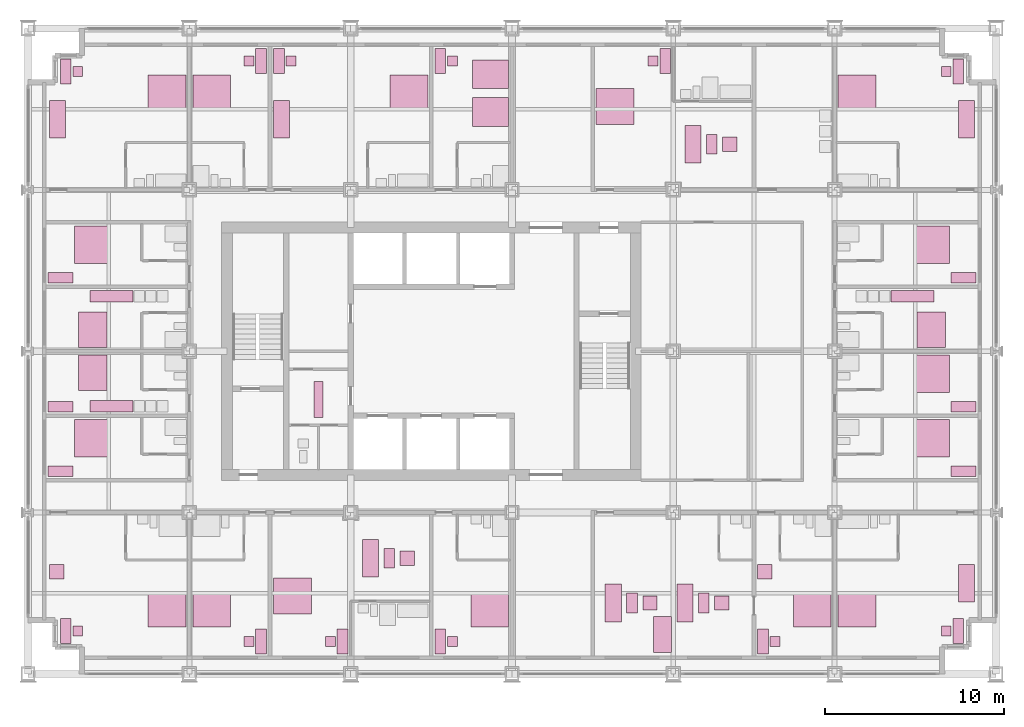
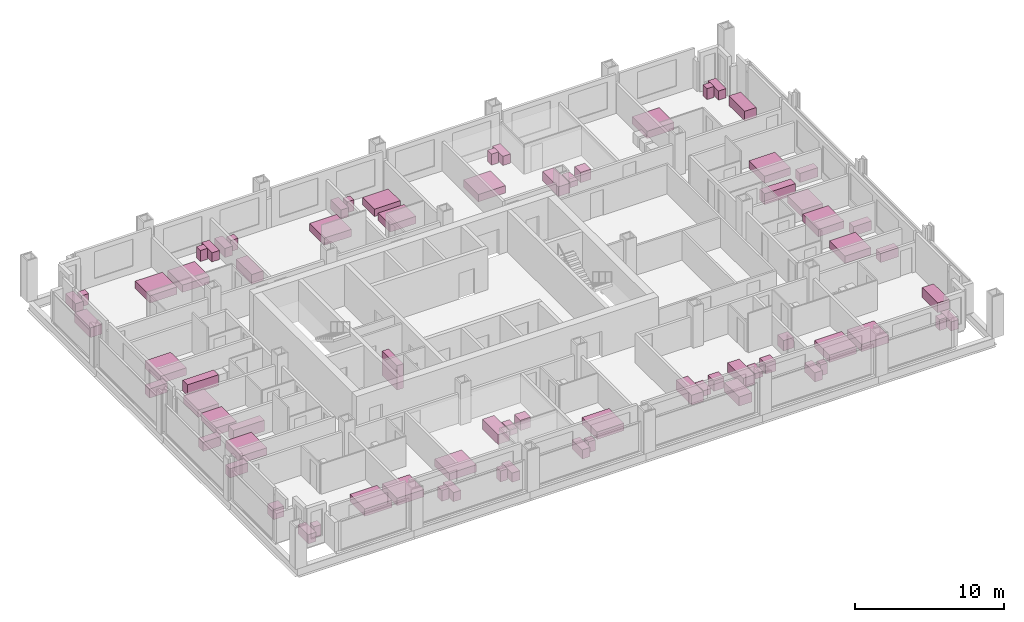
# One storey, part 18 of 18: 74 furniture elements.
"""IFC4 building model written with IfcOpenShell, lengths in metres."""

from ifc_helpers import new_model, si_unit, direction, frame, origin, origin_2d, place, context, subcontext, project, spatial, rectangle, extrude, element, save


model = new_model("IFC4")

# Units and contexts
model_context = context("Model", 3, precision=1e-05, world=origin(), true_north=direction((0.0, 1.0)))
body_context = subcontext(model_context, "Body", "Model", "MODEL_VIEW")
ifc_project = project(units=[si_unit("LENGTHUNIT", "METRE"), si_unit("AREAUNIT", "SQUARE_METRE"), si_unit("VOLUMEUNIT", "CUBIC_METRE"), si_unit("PLANEANGLEUNIT", "RADIAN"), si_unit("MASSUNIT", "GRAM", prefix="KILO")], contexts=[model_context])

# Site, building, storey
site_placement = place(None, origin())
site = spatial("IfcSite", under=ifc_project, at=site_placement, CompositionType="ELEMENT")
building_placement = place(site_placement, origin())
building = spatial("IfcBuilding", under=site, at=building_placement, Name="Loomwork Tower", CompositionType="ELEMENT")
storey_placement = place(building_placement, frame((0.0, 0.0, 51.800048828125)))
storey = spatial("IfcBuildingStorey", under=building, at=storey_placement, Name="L12", CompositionType="ELEMENT", Elevation=51.800048828125)

# Furniture
furniture_1_placement = place(storey_placement, frame((7.75, 3.60009765625, 0.0), z_axis=(0.0, 0.0, 1.0), x_axis=(1.0, 0.0, 0.0)))
element("IfcFurniture", 1, at=furniture_1_placement, inside=storey, Name="King bed L12", PredefinedType="BED", context=body_context, shape_type="SweptSolid", body=[
    extrude(rectangle(XDim=2.10009765625, YDim=2.0, at=origin_2d()), origin(), (0.0, 0.0, 1.0), 0.60009765625),
])
furniture_2_placement = place(storey_placement, frame((2.10009765625, 2.39990234375, 0.0), z_axis=(0.0, 0.0, 1.0), x_axis=(1.0, 0.0, 0.0)))
element("IfcFurniture", 2, at=furniture_2_placement, inside=storey, Name="Writing desk L12", PredefinedType="DESK", context=body_context, shape_type="SweptSolid", body=[
    extrude(rectangle(XDim=0.60009765625, YDim=1.39990234375, at=origin_2d()), origin(), (0.0, 0.0, 1.0), 0.75),
])
furniture_3_placement = place(storey_placement, frame((2.77490234375, 2.39990234375, 0.0), z_axis=(0.0, 0.0, 1.0), x_axis=(1.0, 0.0, 0.0)))
element("IfcFurniture", 3, at=furniture_3_placement, inside=storey, Name="Desk chair L12", PredefinedType="CHAIR", context=body_context, shape_type="SweptSolid", body=[
    extrude(rectangle(XDim=0.550048828125, YDim=0.550048828125, at=origin_2d()), origin(), (0.0, 0.0, 1.0), 0.89990234375),
])
furniture_4_placement = place(storey_placement, frame((1.60009765625, 5.699951171875, 0.0), z_axis=(0.0, 0.0, 1.0), x_axis=(1.0, 0.0, 0.0)))
element("IfcFurniture", 4, at=furniture_4_placement, inside=storey, Name="Lounge armchair L12", PredefinedType="CHAIR", context=body_context, shape_type="SweptSolid", body=[
    extrude(rectangle(XDim=0.800048828125, YDim=0.800048828125, at=origin_2d()), origin(), (0.0, 0.0, 1.0), 0.85009765625),
])
furniture_5_placement = place(storey_placement, frame((10.25, 3.60009765625, 0.0), z_axis=(0.0, 0.0, 1.0), x_axis=(1.0, 0.0, 0.0)))
element("IfcFurniture", 5, at=furniture_5_placement, inside=storey, Name="King bed L12", PredefinedType="BED", context=body_context, shape_type="SweptSolid", body=[
    extrude(rectangle(XDim=2.10009765625, YDim=2.0, at=origin_2d()), origin(), (0.0, 0.0, 1.0), 0.60009765625),
])
furniture_6_placement = place(storey_placement, frame((13.0, 1.800048828125, 0.0), z_axis=(0.0, 0.0, 1.0), x_axis=(1.0, 0.0, 0.0)))
element("IfcFurniture", 6, at=furniture_6_placement, inside=storey, Name="Writing desk L12", PredefinedType="DESK", context=body_context, shape_type="SweptSolid", body=[
    extrude(rectangle(XDim=0.60009765625, YDim=1.39990234375, at=origin_2d()), origin(), (0.0, 0.0, 1.0), 0.75),
])
furniture_7_placement = place(storey_placement, frame((12.324951171875, 1.800048828125, 0.0), z_axis=(0.0, 0.0, 1.0), x_axis=(1.0, 0.0, 0.0)))
element("IfcFurniture", 7, at=furniture_7_placement, inside=storey, Name="Desk chair L12", PredefinedType="CHAIR", context=body_context, shape_type="SweptSolid", body=[
    extrude(rectangle(XDim=0.550048828125, YDim=0.550048828125, at=origin_2d()), origin(), (0.0, 0.0, 1.0), 0.89990234375),
])
furniture_8_placement = place(storey_placement, frame((14.75, 4.35009765625, 0.0), z_axis=(0.0, 0.0, 1.0), x_axis=(1.0, 0.0, 0.0)))
element("IfcFurniture", 8, at=furniture_8_placement, inside=storey, Name="King bed L12", PredefinedType="BED", context=body_context, shape_type="SweptSolid", body=[
    extrude(rectangle(XDim=2.10009765625, YDim=2.0, at=origin_2d()), origin(), (0.0, 0.0, 1.0), 0.60009765625),
])
furniture_9_placement = place(storey_placement, frame((17.550048828125, 1.800048828125, 0.0), z_axis=(0.0, 0.0, 1.0), x_axis=(1.0, 0.0, 0.0)))
element("IfcFurniture", 9, at=furniture_9_placement, inside=storey, Name="Writing desk L12", PredefinedType="DESK", context=body_context, shape_type="SweptSolid", body=[
    extrude(rectangle(XDim=0.60009765625, YDim=1.39990234375, at=origin_2d()), origin(), (0.0, 0.0, 1.0), 0.75),
])
furniture_10_placement = place(storey_placement, frame((16.875, 1.800048828125, 0.0), z_axis=(0.0, 0.0, 1.0), x_axis=(1.0, 0.0, 0.0)))
element("IfcFurniture", 10, at=furniture_10_placement, inside=storey, Name="Desk chair L12", PredefinedType="CHAIR", context=body_context, shape_type="SweptSolid", body=[
    extrude(rectangle(XDim=0.550048828125, YDim=0.550048828125, at=origin_2d()), origin(), (0.0, 0.0, 1.0), 0.89990234375),
])
furniture_11_placement = place(storey_placement, frame((19.10009765625, 6.449951171875, 0.0), z_axis=(0.0, 0.0, 1.0), x_axis=(1.0, 0.0, 0.0)))
element("IfcFurniture", 11, at=furniture_11_placement, inside=storey, Name="Sofa L12", PredefinedType="SOFA", context=body_context, shape_type="SweptSolid", body=[
    extrude(rectangle(XDim=0.89990234375, YDim=2.10009765625, at=origin_2d()), origin(), (0.0, 0.0, 1.0), 0.800048828125),
])
furniture_12_placement = place(storey_placement, frame((20.14990234375, 6.449951171875, 0.0), z_axis=(0.0, 0.0, 1.0), x_axis=(1.0, 0.0, 0.0)))
element("IfcFurniture", 12, at=furniture_12_placement, inside=storey, Name="Coffee table L12", PredefinedType="TABLE", context=body_context, shape_type="SweptSolid", body=[
    extrude(rectangle(XDim=0.60009765625, YDim=1.10009765625, at=origin_2d()), origin(), (0.0, 0.0, 1.0), 0.449951171875),
])
furniture_13_placement = place(storey_placement, frame((21.14990234375, 6.449951171875, 0.0), z_axis=(0.0, 0.0, 1.0), x_axis=(1.0, 0.0, 0.0)))
element("IfcFurniture", 13, at=furniture_13_placement, inside=storey, Name="Lounge armchair L12", PredefinedType="CHAIR", context=body_context, shape_type="SweptSolid", body=[
    extrude(rectangle(XDim=0.800048828125, YDim=0.800048828125, at=origin_2d()), origin(), (0.0, 0.0, 1.0), 0.85009765625),
])
furniture_14_placement = place(storey_placement, frame((25.75, 3.60009765625, 0.0), z_axis=(0.0, 0.0, 1.0), x_axis=(1.0, 0.0, 0.0)))
element("IfcFurniture", 14, at=furniture_14_placement, inside=storey, Name="King bed L12", PredefinedType="BED", context=body_context, shape_type="SweptSolid", body=[
    extrude(rectangle(XDim=2.10009765625, YDim=2.0, at=origin_2d()), origin(), (0.0, 0.0, 1.0), 0.60009765625),
])
furniture_15_placement = place(storey_placement, frame((23.0, 1.800048828125, 0.0), z_axis=(0.0, 0.0, 1.0), x_axis=(1.0, 0.0, 0.0)))
element("IfcFurniture", 15, at=furniture_15_placement, inside=storey, Name="Writing desk L12", PredefinedType="DESK", context=body_context, shape_type="SweptSolid", body=[
    extrude(rectangle(XDim=0.60009765625, YDim=1.39990234375, at=origin_2d()), origin(), (0.0, 0.0, 1.0), 0.75),
])
furniture_16_placement = place(storey_placement, frame((23.675048828125, 1.800048828125, 0.0), z_axis=(0.0, 0.0, 1.0), x_axis=(1.0, 0.0, 0.0)))
element("IfcFurniture", 16, at=furniture_16_placement, inside=storey, Name="Desk chair L12", PredefinedType="CHAIR", context=body_context, shape_type="SweptSolid", body=[
    extrude(rectangle(XDim=0.550048828125, YDim=0.550048828125, at=origin_2d()), origin(), (0.0, 0.0, 1.0), 0.89990234375),
])
furniture_17_placement = place(storey_placement, frame((32.64990234375, 3.949951171875, 0.0), z_axis=(0.0, 0.0, 1.0), x_axis=(1.0, 0.0, 0.0)))
element("IfcFurniture", 17, at=furniture_17_placement, inside=storey, Name="Sofa L12", PredefinedType="SOFA", context=body_context, shape_type="SweptSolid", body=[
    extrude(rectangle(XDim=0.89990234375, YDim=2.10009765625, at=origin_2d()), origin(), (0.0, 0.0, 1.0), 0.800048828125),
])
furniture_18_placement = place(storey_placement, frame((33.699951171875, 3.949951171875, 0.0), z_axis=(0.0, 0.0, 1.0), x_axis=(1.0, 0.0, 0.0)))
element("IfcFurniture", 18, at=furniture_18_placement, inside=storey, Name="Coffee table L12", PredefinedType="TABLE", context=body_context, shape_type="SweptSolid", body=[
    extrude(rectangle(XDim=0.60009765625, YDim=1.10009765625, at=origin_2d()), origin(), (0.0, 0.0, 1.0), 0.449951171875),
])
furniture_19_placement = place(storey_placement, frame((34.699951171875, 3.949951171875, 0.0), z_axis=(0.0, 0.0, 1.0), x_axis=(1.0, 0.0, 0.0)))
element("IfcFurniture", 19, at=furniture_19_placement, inside=storey, Name="Lounge armchair L12", PredefinedType="CHAIR", context=body_context, shape_type="SweptSolid", body=[
    extrude(rectangle(XDim=0.800048828125, YDim=0.800048828125, at=origin_2d()), origin(), (0.0, 0.0, 1.0), 0.85009765625),
])
furniture_20_placement = place(storey_placement, frame((36.64990234375, 3.949951171875, 0.0), z_axis=(0.0, 0.0, 1.0), x_axis=(1.0, 0.0, 0.0)))
element("IfcFurniture", 20, at=furniture_20_placement, inside=storey, Name="Sofa L12", PredefinedType="SOFA", context=body_context, shape_type="SweptSolid", body=[
    extrude(rectangle(XDim=0.89990234375, YDim=2.10009765625, at=origin_2d()), origin(), (0.0, 0.0, 1.0), 0.800048828125),
])
furniture_21_placement = place(storey_placement, frame((37.699951171875, 3.949951171875, 0.0), z_axis=(0.0, 0.0, 1.0), x_axis=(1.0, 0.0, 0.0)))
element("IfcFurniture", 21, at=furniture_21_placement, inside=storey, Name="Coffee table L12", PredefinedType="TABLE", context=body_context, shape_type="SweptSolid", body=[
    extrude(rectangle(XDim=0.60009765625, YDim=1.10009765625, at=origin_2d()), origin(), (0.0, 0.0, 1.0), 0.449951171875),
])
furniture_22_placement = place(storey_placement, frame((38.699951171875, 3.949951171875, 0.0), z_axis=(0.0, 0.0, 1.0), x_axis=(1.0, 0.0, 0.0)))
element("IfcFurniture", 22, at=furniture_22_placement, inside=storey, Name="Lounge armchair L12", PredefinedType="CHAIR", context=body_context, shape_type="SweptSolid", body=[
    extrude(rectangle(XDim=0.800048828125, YDim=0.800048828125, at=origin_2d()), origin(), (0.0, 0.0, 1.0), 0.85009765625),
])
furniture_23_placement = place(storey_placement, frame((35.39990234375, 2.199951171875, 0.0), z_axis=(0.0, 0.0, 1.0), x_axis=(1.0, 0.0, 0.0)))
element("IfcFurniture", 23, at=furniture_23_placement, inside=storey, Name="Dining table L12", PredefinedType="TABLE", context=body_context, shape_type="SweptSolid", body=[
    extrude(rectangle(XDim=1.0, YDim=2.0, at=origin_2d()), origin(), (0.0, 0.0, 1.0), 0.75),
])
furniture_24_placement = place(storey_placement, frame((43.75, 3.60009765625, 0.0), z_axis=(0.0, 0.0, 1.0), x_axis=(1.0, 0.0, 0.0)))
element("IfcFurniture", 24, at=furniture_24_placement, inside=storey, Name="King bed L12", PredefinedType="BED", context=body_context, shape_type="SweptSolid", body=[
    extrude(rectangle(XDim=2.10009765625, YDim=2.0, at=origin_2d()), origin(), (0.0, 0.0, 1.0), 0.60009765625),
])
furniture_25_placement = place(storey_placement, frame((41.0, 1.800048828125, 0.0), z_axis=(0.0, 0.0, 1.0), x_axis=(1.0, 0.0, 0.0)))
element("IfcFurniture", 25, at=furniture_25_placement, inside=storey, Name="Writing desk L12", PredefinedType="DESK", context=body_context, shape_type="SweptSolid", body=[
    extrude(rectangle(XDim=0.60009765625, YDim=1.39990234375, at=origin_2d()), origin(), (0.0, 0.0, 1.0), 0.75),
])
furniture_26_placement = place(storey_placement, frame((41.675048828125, 1.800048828125, 0.0), z_axis=(0.0, 0.0, 1.0), x_axis=(1.0, 0.0, 0.0)))
element("IfcFurniture", 26, at=furniture_26_placement, inside=storey, Name="Desk chair L12", PredefinedType="CHAIR", context=body_context, shape_type="SweptSolid", body=[
    extrude(rectangle(XDim=0.550048828125, YDim=0.550048828125, at=origin_2d()), origin(), (0.0, 0.0, 1.0), 0.89990234375),
])
furniture_27_placement = place(storey_placement, frame((41.10009765625, 5.699951171875, 0.0), z_axis=(0.0, 0.0, 1.0), x_axis=(1.0, 0.0, 0.0)))
element("IfcFurniture", 27, at=furniture_27_placement, inside=storey, Name="Lounge armchair L12", PredefinedType="CHAIR", context=body_context, shape_type="SweptSolid", body=[
    extrude(rectangle(XDim=0.800048828125, YDim=0.800048828125, at=origin_2d()), origin(), (0.0, 0.0, 1.0), 0.85009765625),
])
furniture_28_placement = place(storey_placement, frame((46.25, 3.60009765625, 0.0), z_axis=(0.0, 0.0, 1.0), x_axis=(1.0, 0.0, 0.0)))
element("IfcFurniture", 28, at=furniture_28_placement, inside=storey, Name="King bed L12", PredefinedType="BED", context=body_context, shape_type="SweptSolid", body=[
    extrude(rectangle(XDim=2.10009765625, YDim=2.0, at=origin_2d()), origin(), (0.0, 0.0, 1.0), 0.60009765625),
])
furniture_29_placement = place(storey_placement, frame((51.89990234375, 2.39990234375, 0.0), z_axis=(0.0, 0.0, 1.0), x_axis=(1.0, 0.0, 0.0)))
element("IfcFurniture", 29, at=furniture_29_placement, inside=storey, Name="Writing desk L12", PredefinedType="DESK", context=body_context, shape_type="SweptSolid", body=[
    extrude(rectangle(XDim=0.60009765625, YDim=1.39990234375, at=origin_2d()), origin(), (0.0, 0.0, 1.0), 0.75),
])
furniture_30_placement = place(storey_placement, frame((51.22509765625, 2.39990234375, 0.0), z_axis=(0.0, 0.0, 1.0), x_axis=(1.0, 0.0, 0.0)))
element("IfcFurniture", 30, at=furniture_30_placement, inside=storey, Name="Desk chair L12", PredefinedType="CHAIR", context=body_context, shape_type="SweptSolid", body=[
    extrude(rectangle(XDim=0.550048828125, YDim=0.550048828125, at=origin_2d()), origin(), (0.0, 0.0, 1.0), 0.89990234375),
])
furniture_31_placement = place(storey_placement, frame((52.35009765625, 5.050048828125, 0.0), z_axis=(0.0, 0.0, 1.0), x_axis=(1.0, 0.0, 0.0)))
element("IfcFurniture", 31, at=furniture_31_placement, inside=storey, Name="Sofa L12", PredefinedType="SOFA", context=body_context, shape_type="SweptSolid", body=[
    extrude(rectangle(XDim=0.89990234375, YDim=2.10009765625, at=origin_2d()), origin(), (0.0, 0.0, 1.0), 0.800048828125),
])
furniture_32_placement = place(storey_placement, frame((7.75, 32.39990234375, 0.0), z_axis=(0.0, 0.0, 1.0), x_axis=(1.0, 0.0, 0.0)))
element("IfcFurniture", 32, at=furniture_32_placement, inside=storey, Name="King bed L12", PredefinedType="BED", context=body_context, shape_type="SweptSolid", body=[
    extrude(rectangle(XDim=2.10009765625, YDim=2.0, at=origin_2d()), origin(), (0.0, 0.0, 1.0), 0.60009765625),
])
furniture_33_placement = place(storey_placement, frame((2.10009765625, 33.60009765625, 0.0), z_axis=(0.0, 0.0, 1.0), x_axis=(1.0, 0.0, 0.0)))
element("IfcFurniture", 33, at=furniture_33_placement, inside=storey, Name="Writing desk L12", PredefinedType="DESK", context=body_context, shape_type="SweptSolid", body=[
    extrude(rectangle(XDim=0.60009765625, YDim=1.39990234375, at=origin_2d()), origin(), (0.0, 0.0, 1.0), 0.75),
])
furniture_34_placement = place(storey_placement, frame((2.77490234375, 33.60009765625, 0.0), z_axis=(0.0, 0.0, 1.0), x_axis=(1.0, 0.0, 0.0)))
element("IfcFurniture", 34, at=furniture_34_placement, inside=storey, Name="Desk chair L12", PredefinedType="CHAIR", context=body_context, shape_type="SweptSolid", body=[
    extrude(rectangle(XDim=0.550048828125, YDim=0.550048828125, at=origin_2d()), origin(), (0.0, 0.0, 1.0), 0.89990234375),
])
furniture_35_placement = place(storey_placement, frame((1.64990234375, 30.949951171875, 0.0), z_axis=(0.0, 0.0, 1.0), x_axis=(1.0, 0.0, 0.0)))
element("IfcFurniture", 35, at=furniture_35_placement, inside=storey, Name="Sofa L12", PredefinedType="SOFA", context=body_context, shape_type="SweptSolid", body=[
    extrude(rectangle(XDim=0.89990234375, YDim=2.10009765625, at=origin_2d()), origin(), (0.0, 0.0, 1.0), 0.800048828125),
])
furniture_36_placement = place(storey_placement, frame((10.25, 32.39990234375, 0.0), z_axis=(0.0, 0.0, 1.0), x_axis=(1.0, 0.0, 0.0)))
element("IfcFurniture", 36, at=furniture_36_placement, inside=storey, Name="King bed L12", PredefinedType="BED", context=body_context, shape_type="SweptSolid", body=[
    extrude(rectangle(XDim=2.10009765625, YDim=2.0, at=origin_2d()), origin(), (0.0, 0.0, 1.0), 0.60009765625),
])
furniture_37_placement = place(storey_placement, frame((13.0, 34.199951171875, 0.0), z_axis=(0.0, 0.0, 1.0), x_axis=(1.0, 0.0, 0.0)))
element("IfcFurniture", 37, at=furniture_37_placement, inside=storey, Name="Writing desk L12", PredefinedType="DESK", context=body_context, shape_type="SweptSolid", body=[
    extrude(rectangle(XDim=0.60009765625, YDim=1.39990234375, at=origin_2d()), origin(), (0.0, 0.0, 1.0), 0.75),
])
furniture_38_placement = place(storey_placement, frame((12.324951171875, 34.199951171875, 0.0), z_axis=(0.0, 0.0, 1.0), x_axis=(1.0, 0.0, 0.0)))
element("IfcFurniture", 38, at=furniture_38_placement, inside=storey, Name="Desk chair L12", PredefinedType="CHAIR", context=body_context, shape_type="SweptSolid", body=[
    extrude(rectangle(XDim=0.550048828125, YDim=0.550048828125, at=origin_2d()), origin(), (0.0, 0.0, 1.0), 0.89990234375),
])
furniture_39_placement = place(storey_placement, frame((21.25, 32.39990234375, 0.0), z_axis=(0.0, 0.0, 1.0), x_axis=(1.0, 0.0, 0.0)))
element("IfcFurniture", 39, at=furniture_39_placement, inside=storey, Name="King bed L12", PredefinedType="BED", context=body_context, shape_type="SweptSolid", body=[
    extrude(rectangle(XDim=2.10009765625, YDim=2.0, at=origin_2d()), origin(), (0.0, 0.0, 1.0), 0.60009765625),
])
furniture_40_placement = place(storey_placement, frame((14.0, 34.199951171875, 0.0), z_axis=(0.0, 0.0, 1.0), x_axis=(1.0, 0.0, 0.0)))
element("IfcFurniture", 40, at=furniture_40_placement, inside=storey, Name="Writing desk L12", PredefinedType="DESK", context=body_context, shape_type="SweptSolid", body=[
    extrude(rectangle(XDim=0.60009765625, YDim=1.39990234375, at=origin_2d()), origin(), (0.0, 0.0, 1.0), 0.75),
])
furniture_41_placement = place(storey_placement, frame((14.675048828125, 34.199951171875, 0.0), z_axis=(0.0, 0.0, 1.0), x_axis=(1.0, 0.0, 0.0)))
element("IfcFurniture", 41, at=furniture_41_placement, inside=storey, Name="Desk chair L12", PredefinedType="CHAIR", context=body_context, shape_type="SweptSolid", body=[
    extrude(rectangle(XDim=0.550048828125, YDim=0.550048828125, at=origin_2d()), origin(), (0.0, 0.0, 1.0), 0.89990234375),
])
furniture_42_placement = place(storey_placement, frame((14.14990234375, 30.949951171875, 0.0), z_axis=(0.0, 0.0, 1.0), x_axis=(1.0, 0.0, 0.0)))
element("IfcFurniture", 42, at=furniture_42_placement, inside=storey, Name="Sofa L12", PredefinedType="SOFA", context=body_context, shape_type="SweptSolid", body=[
    extrude(rectangle(XDim=0.89990234375, YDim=2.10009765625, at=origin_2d()), origin(), (0.0, 0.0, 1.0), 0.800048828125),
])
for number, where, z_axis, x_axis, name in (
    (43, (25.800048828125, 31.35009765625, 0.0), (0.0, 0.0, 1.0), (1.0, 0.0, 0.0), "Queen bed L12"),
    (44, (25.800048828125, 33.449951171875, 0.0), (0.0, 0.0, 1.0), (1.0, 0.0, 0.0), "Queen bed L12"),
):
    element("IfcFurniture", number, at=place(storey_placement, frame(where, z_axis=z_axis, x_axis=x_axis)), inside=storey, Name=name, PredefinedType="BED", context=body_context, shape_type="SweptSolid", body=[
        extrude(rectangle(XDim=2.0, YDim=1.60009765625, at=origin_2d()), origin(), (0.0, 0.0, 1.0), 0.60009765625),
    ])
furniture_43_placement = place(storey_placement, frame((23.0, 34.199951171875, 0.0), z_axis=(0.0, 0.0, 1.0), x_axis=(1.0, 0.0, 0.0)))
element("IfcFurniture", 45, at=furniture_43_placement, inside=storey, Name="Writing desk L12", PredefinedType="DESK", context=body_context, shape_type="SweptSolid", body=[
    extrude(rectangle(XDim=0.60009765625, YDim=1.39990234375, at=origin_2d()), origin(), (0.0, 0.0, 1.0), 0.75),
])
furniture_44_placement = place(storey_placement, frame((23.675048828125, 34.199951171875, 0.0), z_axis=(0.0, 0.0, 1.0), x_axis=(1.0, 0.0, 0.0)))
element("IfcFurniture", 46, at=furniture_44_placement, inside=storey, Name="Desk chair L12", PredefinedType="CHAIR", context=body_context, shape_type="SweptSolid", body=[
    extrude(rectangle(XDim=0.550048828125, YDim=0.550048828125, at=origin_2d()), origin(), (0.0, 0.0, 1.0), 0.89990234375),
])
furniture_45_placement = place(storey_placement, frame((32.75, 31.64990234375, 0.0), z_axis=(0.0, 0.0, 1.0), x_axis=(1.0, 0.0, 0.0)))
element("IfcFurniture", 47, at=furniture_45_placement, inside=storey, Name="King bed L12", PredefinedType="BED", context=body_context, shape_type="SweptSolid", body=[
    extrude(rectangle(XDim=2.10009765625, YDim=2.0, at=origin_2d()), origin(), (0.0, 0.0, 1.0), 0.60009765625),
])
furniture_46_placement = place(storey_placement, frame((35.550048828125, 34.199951171875, 0.0), z_axis=(0.0, 0.0, 1.0), x_axis=(1.0, 0.0, 0.0)))
element("IfcFurniture", 48, at=furniture_46_placement, inside=storey, Name="Writing desk L12", PredefinedType="DESK", context=body_context, shape_type="SweptSolid", body=[
    extrude(rectangle(XDim=0.60009765625, YDim=1.39990234375, at=origin_2d()), origin(), (0.0, 0.0, 1.0), 0.75),
])
furniture_47_placement = place(storey_placement, frame((34.875, 34.199951171875, 0.0), z_axis=(0.0, 0.0, 1.0), x_axis=(1.0, 0.0, 0.0)))
element("IfcFurniture", 49, at=furniture_47_placement, inside=storey, Name="Desk chair L12", PredefinedType="CHAIR", context=body_context, shape_type="SweptSolid", body=[
    extrude(rectangle(XDim=0.550048828125, YDim=0.550048828125, at=origin_2d()), origin(), (0.0, 0.0, 1.0), 0.89990234375),
])
furniture_48_placement = place(storey_placement, frame((37.10009765625, 29.550048828125, 0.0), z_axis=(0.0, 0.0, 1.0), x_axis=(1.0, 0.0, 0.0)))
element("IfcFurniture", 50, at=furniture_48_placement, inside=storey, Name="Sofa L12", PredefinedType="SOFA", context=body_context, shape_type="SweptSolid", body=[
    extrude(rectangle(XDim=0.89990234375, YDim=2.10009765625, at=origin_2d()), origin(), (0.0, 0.0, 1.0), 0.800048828125),
])
furniture_49_placement = place(storey_placement, frame((38.14990234375, 29.550048828125, 0.0), z_axis=(0.0, 0.0, 1.0), x_axis=(1.0, 0.0, 0.0)))
element("IfcFurniture", 51, at=furniture_49_placement, inside=storey, Name="Coffee table L12", PredefinedType="TABLE", context=body_context, shape_type="SweptSolid", body=[
    extrude(rectangle(XDim=0.60009765625, YDim=1.10009765625, at=origin_2d()), origin(), (0.0, 0.0, 1.0), 0.449951171875),
])
furniture_50_placement = place(storey_placement, frame((39.14990234375, 29.550048828125, 0.0), z_axis=(0.0, 0.0, 1.0), x_axis=(1.0, 0.0, 0.0)))
element("IfcFurniture", 52, at=furniture_50_placement, inside=storey, Name="Lounge armchair L12", PredefinedType="CHAIR", context=body_context, shape_type="SweptSolid", body=[
    extrude(rectangle(XDim=0.800048828125, YDim=0.800048828125, at=origin_2d()), origin(), (0.0, 0.0, 1.0), 0.85009765625),
])
furniture_51_placement = place(storey_placement, frame((46.25, 32.39990234375, 0.0), z_axis=(0.0, 0.0, 1.0), x_axis=(1.0, 0.0, 0.0)))
element("IfcFurniture", 53, at=furniture_51_placement, inside=storey, Name="King bed L12", PredefinedType="BED", context=body_context, shape_type="SweptSolid", body=[
    extrude(rectangle(XDim=2.10009765625, YDim=2.0, at=origin_2d()), origin(), (0.0, 0.0, 1.0), 0.60009765625),
])
furniture_52_placement = place(storey_placement, frame((51.89990234375, 33.60009765625, 0.0), z_axis=(0.0, 0.0, 1.0), x_axis=(1.0, 0.0, 0.0)))
element("IfcFurniture", 54, at=furniture_52_placement, inside=storey, Name="Writing desk L12", PredefinedType="DESK", context=body_context, shape_type="SweptSolid", body=[
    extrude(rectangle(XDim=0.60009765625, YDim=1.39990234375, at=origin_2d()), origin(), (0.0, 0.0, 1.0), 0.75),
])
furniture_53_placement = place(storey_placement, frame((51.22509765625, 33.60009765625, 0.0), z_axis=(0.0, 0.0, 1.0), x_axis=(1.0, 0.0, 0.0)))
element("IfcFurniture", 55, at=furniture_53_placement, inside=storey, Name="Desk chair L12", PredefinedType="CHAIR", context=body_context, shape_type="SweptSolid", body=[
    extrude(rectangle(XDim=0.550048828125, YDim=0.550048828125, at=origin_2d()), origin(), (0.0, 0.0, 1.0), 0.89990234375),
])
furniture_54_placement = place(storey_placement, frame((52.35009765625, 30.949951171875, 0.0), z_axis=(0.0, 0.0, 1.0), x_axis=(1.0, 0.0, 0.0)))
element("IfcFurniture", 56, at=furniture_54_placement, inside=storey, Name="Sofa L12", PredefinedType="SOFA", context=body_context, shape_type="SweptSolid", body=[
    extrude(rectangle(XDim=0.89990234375, YDim=2.10009765625, at=origin_2d()), origin(), (0.0, 0.0, 1.0), 0.800048828125),
])
furniture_55_placement = place(storey_placement, frame((3.60009765625, 13.14990234375, 0.0), z_axis=(0.0, 0.0, 1.0), x_axis=(1.0, 0.0, 0.0)))
element("IfcFurniture", 57, at=furniture_55_placement, inside=storey, Name="King bed L12", PredefinedType="BED", context=body_context, shape_type="SweptSolid", body=[
    extrude(rectangle(XDim=2.0, YDim=2.10009765625, at=origin_2d()), origin(), (0.0, 0.0, 1.0), 0.60009765625),
])
furniture_56_placement = place(storey_placement, frame((1.800048828125, 11.300048828125, 0.0), z_axis=(0.0, 0.0, 1.0), x_axis=(1.0, 0.0, 0.0)))
element("IfcFurniture", 58, at=furniture_56_placement, inside=storey, Name="Writing desk L12", PredefinedType="DESK", context=body_context, shape_type="SweptSolid", body=[
    extrude(rectangle(XDim=1.39990234375, YDim=0.60009765625, at=origin_2d()), origin(), (0.0, 0.0, 1.0), 0.75),
])
furniture_57_placement = place(storey_placement, frame((3.60009765625, 16.800048828125, 0.0), z_axis=(0.0, 0.0, 1.0), x_axis=(1.0, 0.0, 0.0)))
element("IfcFurniture", 59, at=furniture_57_placement, inside=storey, Name="Queen bed L12", PredefinedType="BED", context=body_context, shape_type="SweptSolid", body=[
    extrude(rectangle(XDim=1.60009765625, YDim=2.0, at=origin_2d()), origin(), (0.0, 0.0, 1.0), 0.60009765625),
])
furniture_58_placement = place(storey_placement, frame((1.800048828125, 14.89990234375, 0.0), z_axis=(0.0, 0.0, 1.0), x_axis=(1.0, 0.0, 0.0)))
element("IfcFurniture", 60, at=furniture_58_placement, inside=storey, Name="Writing desk L12", PredefinedType="DESK", context=body_context, shape_type="SweptSolid", body=[
    extrude(rectangle(XDim=1.39990234375, YDim=0.60009765625, at=origin_2d()), origin(), (0.0, 0.0, 1.0), 0.75),
])
furniture_59_placement = place(storey_placement, frame((4.64990234375, 14.925048828125, 0.0), z_axis=(0.0, 0.0, 1.0), x_axis=(1.0, 0.0, 0.0)))
element("IfcFurniture", 61, at=furniture_59_placement, inside=storey, Name="Kitchenette counter L12", ObjectType="KITCHENETTE", PredefinedType="USERDEFINED", context=body_context, shape_type="SweptSolid", body=[
    extrude(rectangle(XDim=2.39990234375, YDim=0.64990234375, at=origin_2d()), origin(), (0.0, 0.0, 1.0), 0.89990234375),
])
furniture_60_placement = place(storey_placement, frame((3.60009765625, 19.199951171875, 0.0), z_axis=(0.0, 0.0, 1.0), x_axis=(1.0, 0.0, 0.0)))
element("IfcFurniture", 62, at=furniture_60_placement, inside=storey, Name="Queen bed L12", PredefinedType="BED", context=body_context, shape_type="SweptSolid", body=[
    extrude(rectangle(XDim=1.60009765625, YDim=2.0, at=origin_2d()), origin(), (0.0, 0.0, 1.0), 0.60009765625),
])
furniture_61_placement = place(storey_placement, frame((4.64990234375, 21.074951171875, 0.0), z_axis=(0.0, 0.0, 1.0), x_axis=(1.0, 0.0, 0.0)))
element("IfcFurniture", 63, at=furniture_61_placement, inside=storey, Name="Kitchenette counter L12", ObjectType="KITCHENETTE", PredefinedType="USERDEFINED", context=body_context, shape_type="SweptSolid", body=[
    extrude(rectangle(XDim=2.39990234375, YDim=0.64990234375, at=origin_2d()), origin(), (0.0, 0.0, 1.0), 0.89990234375),
])
furniture_62_placement = place(storey_placement, frame((3.60009765625, 23.949951171875, 0.0), z_axis=(0.0, 0.0, 1.0), x_axis=(1.0, 0.0, 0.0)))
element("IfcFurniture", 64, at=furniture_62_placement, inside=storey, Name="King bed L12", PredefinedType="BED", context=body_context, shape_type="SweptSolid", body=[
    extrude(rectangle(XDim=2.0, YDim=2.10009765625, at=origin_2d()), origin(), (0.0, 0.0, 1.0), 0.60009765625),
])
furniture_63_placement = place(storey_placement, frame((1.800048828125, 22.10009765625, 0.0), z_axis=(0.0, 0.0, 1.0), x_axis=(1.0, 0.0, 0.0)))
element("IfcFurniture", 65, at=furniture_63_placement, inside=storey, Name="Writing desk L12", PredefinedType="DESK", context=body_context, shape_type="SweptSolid", body=[
    extrude(rectangle(XDim=1.39990234375, YDim=0.60009765625, at=origin_2d()), origin(), (0.0, 0.0, 1.0), 0.75),
])
furniture_64_placement = place(storey_placement, frame((50.39990234375, 13.14990234375, 0.0), z_axis=(0.0, 0.0, 1.0), x_axis=(1.0, 0.0, 0.0)))
element("IfcFurniture", 66, at=furniture_64_placement, inside=storey, Name="King bed L12", PredefinedType="BED", context=body_context, shape_type="SweptSolid", body=[
    extrude(rectangle(XDim=2.0, YDim=2.10009765625, at=origin_2d()), origin(), (0.0, 0.0, 1.0), 0.60009765625),
])
furniture_65_placement = place(storey_placement, frame((52.199951171875, 11.300048828125, 0.0), z_axis=(0.0, 0.0, 1.0), x_axis=(1.0, 0.0, 0.0)))
element("IfcFurniture", 67, at=furniture_65_placement, inside=storey, Name="Writing desk L12", PredefinedType="DESK", context=body_context, shape_type="SweptSolid", body=[
    extrude(rectangle(XDim=1.39990234375, YDim=0.60009765625, at=origin_2d()), origin(), (0.0, 0.0, 1.0), 0.75),
])
furniture_66_placement = place(storey_placement, frame((50.39990234375, 16.75, 0.0), z_axis=(0.0, 0.0, 1.0), x_axis=(1.0, 0.0, 0.0)))
element("IfcFurniture", 68, at=furniture_66_placement, inside=storey, Name="King bed L12", PredefinedType="BED", context=body_context, shape_type="SweptSolid", body=[
    extrude(rectangle(XDim=2.0, YDim=2.10009765625, at=origin_2d()), origin(), (0.0, 0.0, 1.0), 0.60009765625),
])
furniture_67_placement = place(storey_placement, frame((52.199951171875, 14.89990234375, 0.0), z_axis=(0.0, 0.0, 1.0), x_axis=(1.0, 0.0, 0.0)))
element("IfcFurniture", 69, at=furniture_67_placement, inside=storey, Name="Writing desk L12", PredefinedType="DESK", context=body_context, shape_type="SweptSolid", body=[
    extrude(rectangle(XDim=1.39990234375, YDim=0.60009765625, at=origin_2d()), origin(), (0.0, 0.0, 1.0), 0.75),
])
furniture_68_placement = place(storey_placement, frame((50.39990234375, 19.199951171875, 0.0), z_axis=(0.0, 0.0, 1.0), x_axis=(1.0, 0.0, 0.0)))
element("IfcFurniture", 70, at=furniture_68_placement, inside=storey, Name="Queen bed L12", PredefinedType="BED", context=body_context, shape_type="SweptSolid", body=[
    extrude(rectangle(XDim=1.60009765625, YDim=2.0, at=origin_2d()), origin(), (0.0, 0.0, 1.0), 0.60009765625),
])
furniture_69_placement = place(storey_placement, frame((49.35009765625, 21.074951171875, 0.0), z_axis=(0.0, 0.0, 1.0), x_axis=(1.0, 0.0, 0.0)))
element("IfcFurniture", 71, at=furniture_69_placement, inside=storey, Name="Kitchenette counter L12", ObjectType="KITCHENETTE", PredefinedType="USERDEFINED", context=body_context, shape_type="SweptSolid", body=[
    extrude(rectangle(XDim=2.39990234375, YDim=0.64990234375, at=origin_2d()), origin(), (0.0, 0.0, 1.0), 0.89990234375),
])
furniture_70_placement = place(storey_placement, frame((50.39990234375, 23.949951171875, 0.0), z_axis=(0.0, 0.0, 1.0), x_axis=(1.0, 0.0, 0.0)))
element("IfcFurniture", 72, at=furniture_70_placement, inside=storey, Name="King bed L12", PredefinedType="BED", context=body_context, shape_type="SweptSolid", body=[
    extrude(rectangle(XDim=2.0, YDim=2.10009765625, at=origin_2d()), origin(), (0.0, 0.0, 1.0), 0.60009765625),
])
furniture_71_placement = place(storey_placement, frame((52.199951171875, 22.10009765625, 0.0), z_axis=(0.0, 0.0, 1.0), x_axis=(1.0, 0.0, 0.0)))
element("IfcFurniture", 73, at=furniture_71_placement, inside=storey, Name="Writing desk L12", PredefinedType="DESK", context=body_context, shape_type="SweptSolid", body=[
    extrude(rectangle(XDim=1.39990234375, YDim=0.60009765625, at=origin_2d()), origin(), (0.0, 0.0, 1.0), 0.75),
])
furniture_72_placement = place(storey_placement, frame((16.199951171875, 15.300048828125, 0.0), z_axis=(0.0, 0.0, 1.0), x_axis=(1.0, 0.0, 0.0)))
element("IfcFurniture", 74, at=furniture_72_placement, inside=storey, Name="Linen shelving L12", PredefinedType="SHELF", context=body_context, shape_type="SweptSolid", body=[
    extrude(rectangle(XDim=0.5, YDim=2.0, at=origin_2d()), origin(), (0.0, 0.0, 1.0), 2.0),
])

save(model, "model.ifc")
